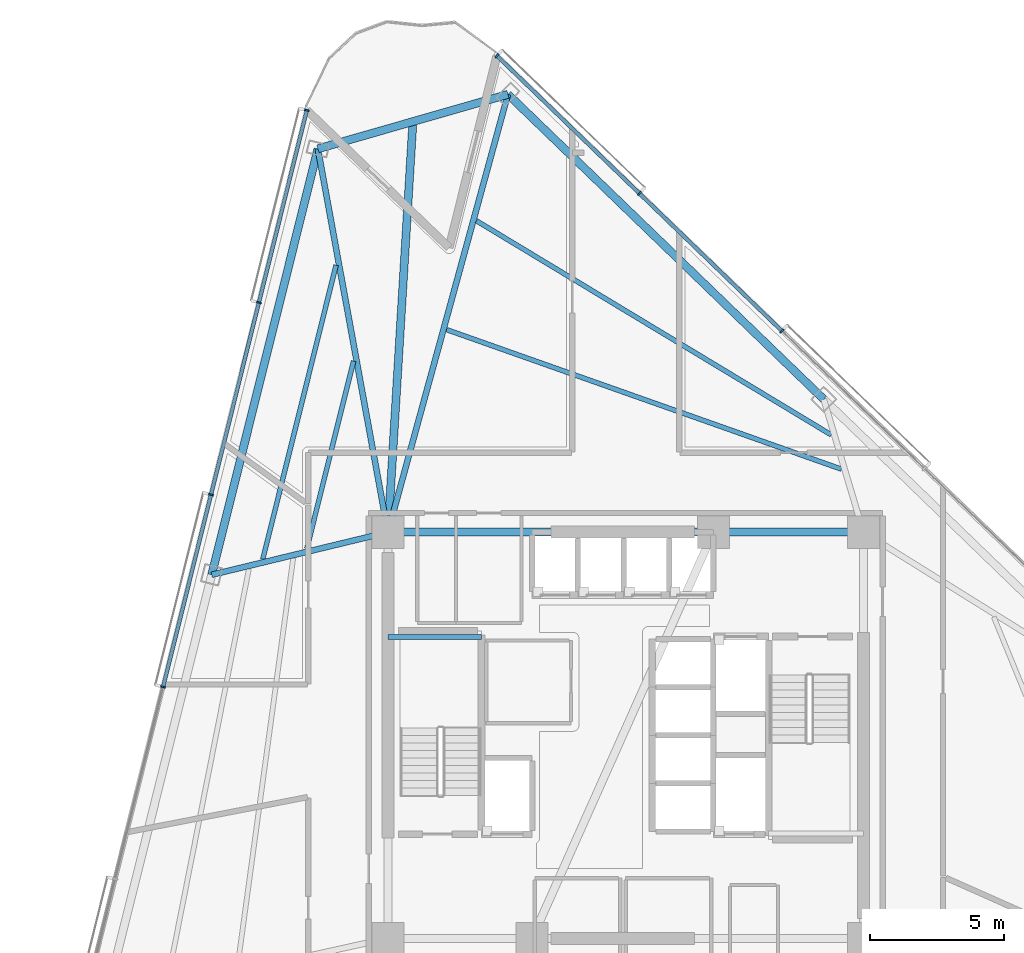
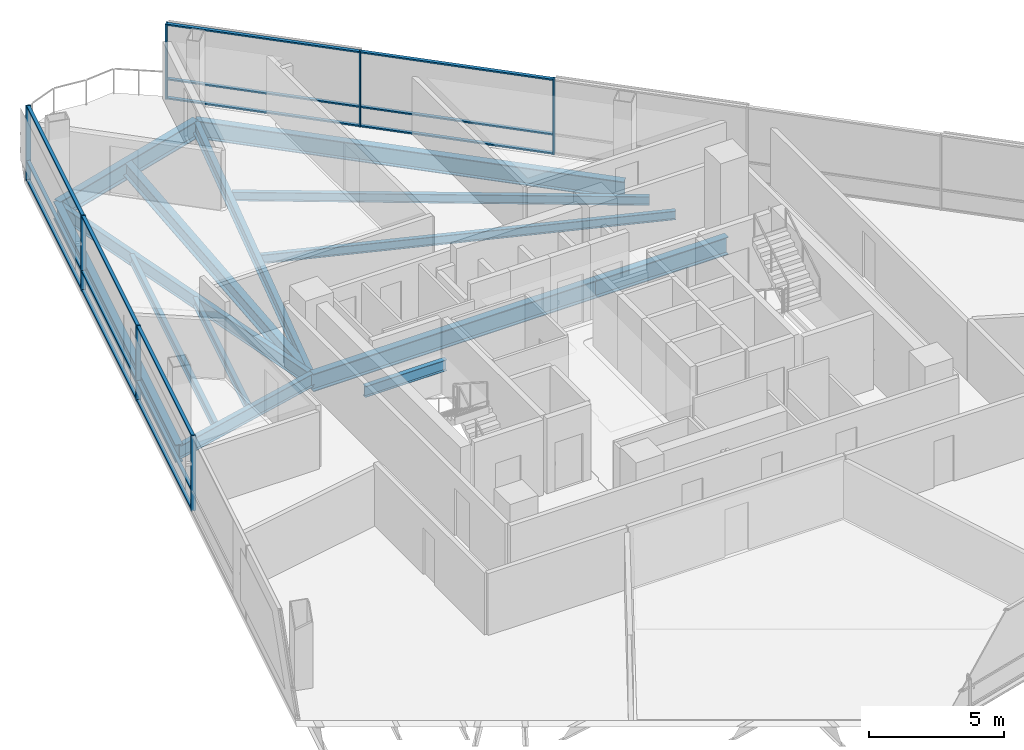
# One storey, part 6 of 17: 22 members, 14 beams, 2 elements without a shape of their own.
"""IFC4 building model written with IfcOpenShell, lengths in metres."""

import ifcopenshell
import ifcopenshell.guid

model = None  # the IFC model being written
_history = None  # IfcOwnerHistory: only IFC2X3 demands one
_inside = {}  # id of a spatial element -> (the spatial element, [elements in it])
_under = {}  # id of a project, library or spatial element -> (it, [spatial elements below it])
_declared = {}  # id of a project -> (the project, [libraries it declares])
_typed = {}  # id of a type object -> (the type object, [elements of that type])
_made_of = {}  # id of a material, layer set ... -> (it, [elements and type objects made of it])


def new_model(schema):
    """Start an empty IFC model of exactly this schema.

    Asked for "IFC4X3", IfcOpenShell would pick the latest addendum, in which some entities
    have other attributes; the version numbers below select the first issue.
    IFC2X3 requires an IfcOwnerHistory on every rooted entity: one is made here for all.
    """
    global model, _history
    if schema == "IFC4X3":
        model = ifcopenshell.file(schema_version=(4, 3, 0, 0))
    else:
        model = ifcopenshell.file(schema=schema)
    _inside.clear()
    _under.clear()
    _declared.clear()
    _typed.clear()
    _made_of.clear()
    _history = None
    if model.schema == "IFC2X3":
        org = make("IfcOrganization", Name="unknown")
        user = make(
            "IfcPersonAndOrganization",
            ThePerson=make("IfcPerson", FamilyName="unknown"),
            TheOrganization=org,
        )
        app = make(
            "IfcApplication",
            ApplicationDeveloper=org,
            Version="unknown",
            ApplicationFullName="unknown",
            ApplicationIdentifier="unknown",
        )
        _history = make(
            "IfcOwnerHistory",
            OwningUser=user,
            OwningApplication=app,
            ChangeAction="ADDED",
            CreationDate=0,
        )
    return model


def make(cls, **values):
    """One entity of the class cls with the attributes given. An attribute that is None is left unset."""
    return model.create_entity(
        cls, **{name: value for name, value in values.items() if value is not None}
    )


def rooted(cls, **values):
    """An entity with a GlobalId (a new one), such as an element, a storey or a relation."""
    return make(cls, GlobalId=ifcopenshell.guid.new(), OwnerHistory=_history, **values)


def si_unit(unit_type, name, prefix=None):
    """IfcSIUnit, for example si_unit("LENGTHUNIT", "METRE", prefix="MILLI")."""
    return make("IfcSIUnit", UnitType=unit_type, Prefix=prefix, Name=name)


def assignment(units):
    """IfcUnitAssignment: the units of a project."""
    return None if units is None else make("IfcUnitAssignment", Units=units)


def point(xyz):
    """IfcCartesianPoint."""
    return None if xyz is None else make("IfcCartesianPoint", Coordinates=xyz)


def direction(xyz):
    """IfcDirection."""
    return None if xyz is None else make("IfcDirection", DirectionRatios=xyz)


def frame(location, z_axis=None, x_axis=None):
    """IfcAxis2Placement3D, a coordinate frame: its origin and axes. An axis left out is left unset."""
    return make(
        "IfcAxis2Placement3D",
        Location=point(location),
        Axis=direction(z_axis),
        RefDirection=direction(x_axis),
    )


def frame_2d(location, x_axis=None):
    """IfcAxis2Placement2D, a coordinate frame in the plane: its origin and x axis."""
    return make(
        "IfcAxis2Placement2D", Location=point(location), RefDirection=direction(x_axis)
    )


def origin():
    """The frame at (0, 0, 0) with its axes left unset."""
    return frame((0.0, 0.0, 0.0))


def origin_2d():
    """The frame at (0, 0) in the plane with its x axis left unset."""
    return frame_2d((0.0, 0.0))


def place(relative_to, where):
    """IfcLocalPlacement: puts the frame where relative to a parent placement (None: the world)."""
    return make(
        "IfcLocalPlacement", PlacementRelTo=relative_to, RelativePlacement=where
    )


def context(
    kind, dimensions, precision=None, world=None, true_north=None, identifier=None
):
    """IfcGeometricRepresentationContext, for example the 3D "Model" context."""
    return make(
        "IfcGeometricRepresentationContext",
        ContextIdentifier=identifier,
        ContextType=kind,
        CoordinateSpaceDimension=dimensions,
        Precision=precision,
        WorldCoordinateSystem=world,
        TrueNorth=true_north,
    )


def subcontext(parent, identifier, kind, view, scale=None):
    """IfcGeometricRepresentationSubContext, for example "Body" below "Model"."""
    return make(
        "IfcGeometricRepresentationSubContext",
        ContextIdentifier=identifier,
        ContextType=kind,
        ParentContext=parent,
        TargetScale=scale,
        TargetView=view,
    )


def project(units=None, contexts=None):
    """IfcProject with its units and contexts."""
    return rooted(
        "IfcProject",
        Name="project",
        RepresentationContexts=contexts,
        UnitsInContext=assignment(units),
    )


def spatial(cls, under=None, at=None, **own):
    """A site, building, storey or space (cls), placed at a placement, below another one or the project."""
    s = rooted(cls, ObjectPlacement=at, **own)
    if under is not None:
        _under.setdefault(under.id(), (under, []))[1].append(s)
    return s


def profile(cls, at=None, kind="AREA", **sizes):
    """A parametric profile (cls). Its sizes go by their IFC names, for example OverallWidth=200.0."""
    return make(cls, ProfileType=kind, Position=at, **sizes)


def rectangle(**sizes):
    """IfcRectangleProfileDef."""
    return profile("IfcRectangleProfileDef", **sizes)


def i_section(**sizes):
    """IfcIShapeProfileDef."""
    return profile("IfcIShapeProfileDef", **sizes)


def extrude(swept, where, along, depth):
    """IfcExtrudedAreaSolid: the profile swept, set in the frame where, extruded along a direction by depth."""
    return make(
        "IfcExtrudedAreaSolid",
        SweptArea=swept,
        Position=where,
        ExtrudedDirection=direction(along),
        Depth=depth,
    )


def shape(context_of_items, identifier, shape_type, items):
    """IfcShapeRepresentation: the items that make up one representation, for example the "Body"."""
    return make(
        "IfcShapeRepresentation",
        ContextOfItems=context_of_items,
        RepresentationIdentifier=identifier,
        RepresentationType=shape_type,
        Items=items,
    )


def material(Name=None, Category=None):
    """IfcMaterial."""
    return make("IfcMaterial", Name=Name, Category=Category)


def layer(
    of_material, thickness, ventilated=None, Name=None, Category=None, Priority=None
):
    """IfcMaterialLayer: one layer of a wall or slab, of a material (None: an air gap)."""
    return make(
        "IfcMaterialLayer",
        Material=of_material,
        LayerThickness=thickness,
        IsVentilated=ventilated,
        Name=Name,
        Category=Category,
        Priority=Priority,
    )


def layer_set(layers, Name=None):
    """IfcMaterialLayerSet."""
    return make("IfcMaterialLayerSet", MaterialLayers=layers, LayerSetName=Name)


def material_profile(
    of_material, cross_section, Name=None, Category=None, Priority=None
):
    """IfcMaterialProfile: a cross section and its material."""
    return make(
        "IfcMaterialProfile",
        Name=Name,
        Material=of_material,
        Profile=cross_section,
        Priority=Priority,
        Category=Category,
    )


def profile_set(profiles, Name=None, composite=None):
    """IfcMaterialProfileSet."""
    return make(
        "IfcMaterialProfileSet",
        Name=Name,
        MaterialProfiles=profiles,
        CompositeProfile=composite,
    )


def made_of(thing, what):
    """Note that an element or type object is made of a material, layer set ...; save() writes the relation."""
    if what is not None:
        _made_of.setdefault(what.id(), (what, []))[1].append(thing)
    return thing


def type_object(cls, material=None, **own):
    """A type object (cls), such as IfcWallType, which elements share."""
    return made_of(rooted(cls, **own), material)


def element(
    cls,
    number,
    at=None,
    inside=None,
    cuts=None,
    type_object=None,
    material=None,
    context=None,
    identifier="Body",
    shape_type=None,
    held_by="IfcProductDefinitionShape",
    body=None,
    shapes=None,
    **own,
):
    """One element of the class cls, such as IfcWall. Its Tag is "e" and its number.

    at: its placement. inside: the storey or other place that contains it. cuts: it is an
    opening in that element (IfcRelVoidsElement). A single representation is given by context,
    identifier, shape_type and body (its items); several are given by shapes. held_by: the class
    of the entity that holds the representations. save() writes the other relations.
    """
    e = rooted(cls, Tag="e%d" % number, ObjectPlacement=at, **own)
    if body is not None:
        shapes = [shape(context, identifier, shape_type, body)]
    if shapes is not None:
        e.Representation = make(held_by, Representations=shapes)
    if inside is not None:
        _inside.setdefault(inside.id(), (inside, []))[1].append(e)
    if cuts is not None:
        rooted(
            "IfcRelVoidsElement", RelatingBuildingElement=cuts, RelatedOpeningElement=e
        )
    if type_object is not None:
        _typed.setdefault(type_object.id(), (type_object, []))[1].append(e)
    return made_of(e, material)


def aggregate(whole, parts):
    """IfcRelAggregates: a whole, such as a stair, and the parts it consists of."""
    return rooted("IfcRelAggregates", RelatingObject=whole, RelatedObjects=parts)


def save(model, path):
    """Write the relations noted so far, then the file.

    IfcRelAggregates (storeys below a building ...), IfcRelContainedInSpatialStructure (elements
    in a storey), IfcRelDefinesByType, IfcRelAssociatesMaterial and IfcRelDeclares: one each for
    every whole, place, type object, material and project.
    """
    for whole, parts in _under.values():
        aggregate(whole, parts)
    for where, things in _inside.values():
        rooted(
            "IfcRelContainedInSpatialStructure",
            RelatedElements=things,
            RelatingStructure=where,
        )
    for kind, things in _typed.values():
        rooted("IfcRelDefinesByType", RelatedObjects=things, RelatingType=kind)
    for what, things in _made_of.values():
        rooted("IfcRelAssociatesMaterial", RelatedObjects=things, RelatingMaterial=what)
    for by, libraries in _declared.values():
        rooted("IfcRelDeclares", RelatingContext=by, RelatedDefinitions=libraries)
    model.write(path)


model = new_model("IFC4")

# Units and contexts
model_context = context("Model", 3, precision=1e-05, world=origin(), true_north=direction((0.0, 1.0)))
body_context = subcontext(model_context, "Body", "Model", "MODEL_VIEW")
ifc_project = project(units=[si_unit("LENGTHUNIT", "METRE"), si_unit("AREAUNIT", "SQUARE_METRE"), si_unit("VOLUMEUNIT", "CUBIC_METRE"), si_unit("PLANEANGLEUNIT", "RADIAN"), si_unit("MASSUNIT", "GRAM", prefix="KILO")], contexts=[model_context])

# Site, building, storey
site_placement = place(None, origin())
site = spatial("IfcSite", under=ifc_project, at=site_placement, CompositionType="ELEMENT")
building_placement = place(site_placement, origin())
building = spatial("IfcBuilding", under=site, at=building_placement, Name="Tharavind Bronze Gate", CompositionType="ELEMENT")
storey_placement = place(building_placement, frame((0.0, 0.0, 96.89990234375)))
storey = spatial("IfcBuildingStorey", under=building, at=storey_placement, Name="L24", CompositionType="ELEMENT", Elevation=96.89990234375)

# Curtain wall, members
ifc_material_1 = material(Name="Anodised Bronze Aluminium", Category="aluminium")
ifc_layer = layer(ifc_material_1, 0.219970703125)
ifc_layer_set = layer_set([ifc_layer], Name="Anodised Bronze Aluminium")
curtain_wall_type = type_object("IfcCurtainWallType", Name="UNITISED CURTAIN WALL LOWER OFFICE", PredefinedType="USERDEFINED", material=ifc_layer_set)
curtain_wall_1_placement = place(storey_placement, origin())
curtain_wall_1 = element("IfcCurtainWall", 1, at=curtain_wall_1_placement, inside=storey, type_object=curtain_wall_type, Name="L24 unitised curtain wall lower office CW-L24-S1", ObjectType="UNITISED CURTAIN WALL", PredefinedType="USERDEFINED")
member_type_1 = type_object("IfcMemberType", Name="CURTAIN WALL BRONZE MULLION 65X180", PredefinedType="MULLION", material=ifc_material_1)
member_1_placement = place(storey_placement, frame((-11.93359375, 23.394287109375, 0.0), z_axis=(0.0, 0.0, 1.0), x_axis=(-0.2419218956, -0.970295726276, 0.0)))
member_1 = element("IfcMember", 2, at=member_1_placement, type_object=member_type_1, Name="CW-L24-S1 mullion 1", PredefinedType="MULLION", context=body_context, shape_type="SweptSolid", body=[
    extrude(rectangle(XDim=0.06494140625, YDim=0.179931640625, at=origin_2d()), origin(), (0.0, 0.0, 1.0), 3.409912109375),
])
member_2_placement = place(storey_placement, frame((-13.727294921875, 16.2001953125, 0.0), z_axis=(0.0, 0.0, 1.0), x_axis=(-0.2419218956, -0.970295726276, 0.0)))
member_2 = element("IfcMember", 3, at=member_2_placement, type_object=member_type_1, Name="CW-L24-S1 mullion 2", PredefinedType="MULLION", context=body_context, shape_type="SweptSolid", body=[
    extrude(rectangle(XDim=0.06494140625, YDim=0.179931640625, at=origin_2d()), origin(), (0.0, 0.0, 1.0), 3.409912109375),
])
member_3_placement = place(storey_placement, frame((-15.52099609375, 9.00634765625, 0.0), z_axis=(0.0, 0.0, 1.0), x_axis=(-0.2419218956, -0.970295726276, 0.0)))
member_3 = element("IfcMember", 4, at=member_3_placement, type_object=member_type_1, Name="CW-L24-S1 mullion 3", PredefinedType="MULLION", context=body_context, shape_type="SweptSolid", body=[
    extrude(rectangle(XDim=0.06494140625, YDim=0.179931640625, at=origin_2d()), origin(), (0.0, 0.0, 1.0), 3.409912109375),
])
member_4_placement = place(storey_placement, frame((-17.314697265625, 1.812255859375, 0.0), z_axis=(0.0, 0.0, 1.0), x_axis=(-0.2419218956, -0.970295726276, 0.0)))
member_4 = element("IfcMember", 5, at=member_4_placement, type_object=member_type_1, Name="CW-L24-S1 mullion 4", PredefinedType="MULLION", context=body_context, shape_type="SweptSolid", body=[
    extrude(rectangle(XDim=0.06494140625, YDim=0.179931640625, at=origin_2d()), origin(), (0.0, 0.0, 1.0), 3.409912109375),
])

curtain_wall_2_placement = place(storey_placement, origin())
curtain_wall_2 = element("IfcCurtainWall", 6, at=curtain_wall_2_placement, inside=storey, type_object=curtain_wall_type, Name="L24 unitised curtain wall lower office CW-L24-S3", ObjectType="UNITISED CURTAIN WALL", PredefinedType="USERDEFINED")
member_5_placement = place(storey_placement, frame((5.84619140625, 15.13330078125, 0.0), z_axis=(0.0, 0.0, 1.0), x_axis=(-0.719341012745, 0.694657114973, 0.0)))
member_5 = element("IfcMember", 7, at=member_5_placement, type_object=member_type_1, Name="CW-L24-S3 mullion 6", PredefinedType="MULLION", context=body_context, shape_type="SweptSolid", body=[
    extrude(rectangle(XDim=0.06494140625, YDim=0.179931640625, at=origin_2d()), origin(), (0.0, 0.0, 1.0), 3.409912109375),
])
member_6_placement = place(storey_placement, frame((0.512939453125, 20.28369140625, 0.0), z_axis=(0.0, 0.0, 1.0), x_axis=(-0.719341012745, 0.694657114973, 0.0)))
member_6 = element("IfcMember", 8, at=member_6_placement, type_object=member_type_1, Name="CW-L24-S3 mullion 7", PredefinedType="MULLION", context=body_context, shape_type="SweptSolid", body=[
    extrude(rectangle(XDim=0.06494140625, YDim=0.179931640625, at=origin_2d()), origin(), (0.0, 0.0, 1.0), 3.409912109375),
])
member_7_placement = place(storey_placement, frame((-4.8203125, 25.433837890625, 0.0), z_axis=(0.0, 0.0, 1.0), x_axis=(-0.719341012745, 0.694657114973, 0.0)))
member_7 = element("IfcMember", 9, at=member_7_placement, type_object=member_type_1, Name="CW-L24-S3 mullion 8", PredefinedType="MULLION", context=body_context, shape_type="SweptSolid", body=[
    extrude(rectangle(XDim=0.06494140625, YDim=0.179931640625, at=origin_2d()), origin(), (0.0, 0.0, 1.0), 3.409912109375),
])

# Member
member_type_2 = type_object("IfcMemberType", Name="CURTAIN WALL BRONZE TRANSOM 65X140", PredefinedType="USERDEFINED", material=ifc_material_1)
member_8_placement = place(storey_placement, frame((-12.83056640625, 19.797119140625, 0.000244140625), z_axis=(0.0, 0.0, 1.0), x_axis=(-0.2419218956, -0.970295726276, 0.0)))
member_8 = element("IfcMember", 10, at=member_8_placement, type_object=member_type_2, Name="CW-L24-S1 transom TB1", ObjectType="TRANSOM", PredefinedType="USERDEFINED", context=body_context, shape_type="SweptSolid", body=[
    extrude(rectangle(XDim=7.361083984375, YDim=0.139892578125, at=origin_2d()), origin(), (0.0, 0.0, 1.0), 0.06494140625),
])

member_9_placement = place(storey_placement, frame((-12.83056640625, 19.797119140625, 0.86767578125), z_axis=(0.0, 0.0, 1.0), x_axis=(-0.2419218956, -0.970295726276, 0.0)))
member_9 = element("IfcMember", 11, at=member_9_placement, type_object=member_type_2, Name="CW-L24-S1 transom TS1", ObjectType="TRANSOM", PredefinedType="USERDEFINED", context=body_context, shape_type="SweptSolid", body=[
    extrude(rectangle(XDim=7.361083984375, YDim=0.139892578125, at=origin_2d()), origin(), (0.0, 0.0, 1.0), 0.06494140625),
])

member_10_placement = place(storey_placement, frame((-12.83056640625, 19.797119140625, 3.34521484375), z_axis=(0.0, 0.0, 1.0), x_axis=(-0.2419218956, -0.970295726276, 0.0)))
member_10 = element("IfcMember", 12, at=member_10_placement, type_object=member_type_2, Name="CW-L24-S1 transom TT1", ObjectType="TRANSOM", PredefinedType="USERDEFINED", context=body_context, shape_type="SweptSolid", body=[
    extrude(rectangle(XDim=7.361083984375, YDim=0.139892578125, at=origin_2d()), origin(), (0.0, 0.0, 1.0), 0.06494140625),
])

member_11_placement = place(storey_placement, frame((-14.624267578125, 12.603271484375, 0.000244140625), z_axis=(0.0, 0.0, 1.0), x_axis=(-0.2419218956, -0.970295726276, 0.0)))
member_11 = element("IfcMember", 13, at=member_11_placement, type_object=member_type_2, Name="CW-L24-S1 transom TB2", ObjectType="TRANSOM", PredefinedType="USERDEFINED", context=body_context, shape_type="SweptSolid", body=[
    extrude(rectangle(XDim=7.361083984375, YDim=0.139892578125, at=origin_2d()), origin(), (0.0, 0.0, 1.0), 0.06494140625),
])

member_12_placement = place(storey_placement, frame((-14.624267578125, 12.603271484375, 0.86767578125), z_axis=(0.0, 0.0, 1.0), x_axis=(-0.2419218956, -0.970295726276, 0.0)))
member_12 = element("IfcMember", 14, at=member_12_placement, type_object=member_type_2, Name="CW-L24-S1 transom TS2", ObjectType="TRANSOM", PredefinedType="USERDEFINED", context=body_context, shape_type="SweptSolid", body=[
    extrude(rectangle(XDim=7.361083984375, YDim=0.139892578125, at=origin_2d()), origin(), (0.0, 0.0, 1.0), 0.06494140625),
])

member_13_placement = place(storey_placement, frame((-14.624267578125, 12.603271484375, 3.34521484375), z_axis=(0.0, 0.0, 1.0), x_axis=(-0.2419218956, -0.970295726276, 0.0)))
member_13 = element("IfcMember", 15, at=member_13_placement, type_object=member_type_2, Name="CW-L24-S1 transom TT2", ObjectType="TRANSOM", PredefinedType="USERDEFINED", context=body_context, shape_type="SweptSolid", body=[
    extrude(rectangle(XDim=7.361083984375, YDim=0.139892578125, at=origin_2d()), origin(), (0.0, 0.0, 1.0), 0.06494140625),
])

member_14_placement = place(storey_placement, frame((-16.417724609375, 5.4091796875, 0.000244140625), z_axis=(0.0, 0.0, 1.0), x_axis=(-0.2419218956, -0.970295726276, 0.0)))
member_14 = element("IfcMember", 16, at=member_14_placement, type_object=member_type_2, Name="CW-L24-S1 transom TB3", ObjectType="TRANSOM", PredefinedType="USERDEFINED", context=body_context, shape_type="SweptSolid", body=[
    extrude(rectangle(XDim=7.361083984375, YDim=0.139892578125, at=origin_2d()), origin(), (0.0, 0.0, 1.0), 0.06494140625),
])

member_15_placement = place(storey_placement, frame((-16.417724609375, 5.4091796875, 0.86767578125), z_axis=(0.0, 0.0, 1.0), x_axis=(-0.2419218956, -0.970295726276, 0.0)))
member_15 = element("IfcMember", 17, at=member_15_placement, type_object=member_type_2, Name="CW-L24-S1 transom TS3", ObjectType="TRANSOM", PredefinedType="USERDEFINED", context=body_context, shape_type="SweptSolid", body=[
    extrude(rectangle(XDim=7.361083984375, YDim=0.139892578125, at=origin_2d()), origin(), (0.0, 0.0, 1.0), 0.06494140625),
])

member_16_placement = place(storey_placement, frame((-16.417724609375, 5.4091796875, 3.34521484375), z_axis=(0.0, 0.0, 1.0), x_axis=(-0.2419218956, -0.970295726276, 0.0)))
member_16 = element("IfcMember", 18, at=member_16_placement, type_object=member_type_2, Name="CW-L24-S1 transom TT3", ObjectType="TRANSOM", PredefinedType="USERDEFINED", context=body_context, shape_type="SweptSolid", body=[
    extrude(rectangle(XDim=7.361083984375, YDim=0.139892578125, at=origin_2d()), origin(), (0.0, 0.0, 1.0), 0.06494140625),
])

aggregate(curtain_wall_1, [member_1, member_2, member_3, member_4, member_8, member_9, member_10, member_11, member_12, member_13, member_14, member_15, member_16])

member_17_placement = place(storey_placement, frame((3.1796875, 17.70849609375, 0.000244140625), z_axis=(0.0, 0.0, 1.0), x_axis=(-0.719341012745, 0.694657114973, 0.0)))
member_17 = element("IfcMember", 19, at=member_17_placement, type_object=member_type_2, Name="CW-L24-S3 transom TB6", ObjectType="TRANSOM", PredefinedType="USERDEFINED", context=body_context, shape_type="SweptSolid", body=[
    extrude(rectangle(XDim=7.361083984375, YDim=0.139892578125, at=origin_2d()), origin(), (0.0, 0.0, 1.0), 0.06494140625),
])

member_18_placement = place(storey_placement, frame((3.1796875, 17.70849609375, 0.86767578125), z_axis=(0.0, 0.0, 1.0), x_axis=(-0.719341012745, 0.694657114973, 0.0)))
member_18 = element("IfcMember", 20, at=member_18_placement, type_object=member_type_2, Name="CW-L24-S3 transom TS6", ObjectType="TRANSOM", PredefinedType="USERDEFINED", context=body_context, shape_type="SweptSolid", body=[
    extrude(rectangle(XDim=7.361083984375, YDim=0.139892578125, at=origin_2d()), origin(), (0.0, 0.0, 1.0), 0.06494140625),
])

member_19_placement = place(storey_placement, frame((3.1796875, 17.70849609375, 3.34521484375), z_axis=(0.0, 0.0, 1.0), x_axis=(-0.719341012745, 0.694657114973, 0.0)))
member_19 = element("IfcMember", 21, at=member_19_placement, type_object=member_type_2, Name="CW-L24-S3 transom TT6", ObjectType="TRANSOM", PredefinedType="USERDEFINED", context=body_context, shape_type="SweptSolid", body=[
    extrude(rectangle(XDim=7.361083984375, YDim=0.139892578125, at=origin_2d()), origin(), (0.0, 0.0, 1.0), 0.06494140625),
])

member_20_placement = place(storey_placement, frame((-2.15380859375, 22.858642578125, 0.000244140625), z_axis=(0.0, 0.0, 1.0), x_axis=(-0.719341012745, 0.694657114973, 0.0)))
member_20 = element("IfcMember", 22, at=member_20_placement, type_object=member_type_2, Name="CW-L24-S3 transom TB7", ObjectType="TRANSOM", PredefinedType="USERDEFINED", context=body_context, shape_type="SweptSolid", body=[
    extrude(rectangle(XDim=7.361083984375, YDim=0.139892578125, at=origin_2d()), origin(), (0.0, 0.0, 1.0), 0.06494140625),
])

member_21_placement = place(storey_placement, frame((-2.15380859375, 22.858642578125, 0.86767578125), z_axis=(0.0, 0.0, 1.0), x_axis=(-0.719341012745, 0.694657114973, 0.0)))
member_21 = element("IfcMember", 23, at=member_21_placement, type_object=member_type_2, Name="CW-L24-S3 transom TS7", ObjectType="TRANSOM", PredefinedType="USERDEFINED", context=body_context, shape_type="SweptSolid", body=[
    extrude(rectangle(XDim=7.361083984375, YDim=0.139892578125, at=origin_2d()), origin(), (0.0, 0.0, 1.0), 0.06494140625),
])

member_22_placement = place(storey_placement, frame((-2.15380859375, 22.858642578125, 3.34521484375), z_axis=(0.0, 0.0, 1.0), x_axis=(-0.719341012745, 0.694657114973, 0.0)))
member_22 = element("IfcMember", 24, at=member_22_placement, type_object=member_type_2, Name="CW-L24-S3 transom TT7", ObjectType="TRANSOM", PredefinedType="USERDEFINED", context=body_context, shape_type="SweptSolid", body=[
    extrude(rectangle(XDim=7.361083984375, YDim=0.139892578125, at=origin_2d()), origin(), (0.0, 0.0, 1.0), 0.06494140625),
])

aggregate(curtain_wall_2, [member_5, member_6, member_7, member_17, member_18, member_19, member_20, member_21, member_22])

# Beams
ifc_material_2 = material(Name="Steel S355", Category="steel")
ifc_material_profile_1 = material_profile(ifc_material_2, i_section(OverallWidth=0.300048828125, OverallDepth=0.64990234375, WebThickness=0.01611328125, FlangeThickness=0.031005859375, at=origin_2d()), Name="HE650B")
ifc_profile_set_1 = profile_set([ifc_material_profile_1], Name="Steel S355")
beam_type_1 = type_object("IfcBeamType", Name="PRIMARY GIRDER HE650B", PredefinedType="USERDEFINED", material=ifc_profile_set_1)
beam_1_placement = place(storey_placement, frame((-8.89990234375, 7.60009765625, -0.514892578125), z_axis=(0.060795156935, 0.998150263684, 0.0), x_axis=(-0.998150263684, 0.060795156935, 0.0)))
element("IfcBeam", 25, at=beam_1_placement, inside=storey, type_object=beam_type_1, Name="L24 primary girder he650b BM-L24-BLCSB", ObjectType="GIRDER", PredefinedType="USERDEFINED", context=body_context, shape_type="SweptSolid", body=[
    extrude(i_section(OverallWidth=0.300048828125, OverallDepth=0.64990234375, WebThickness=0.01611328125, FlangeThickness=0.031005859375, at=origin_2d()), origin(), (0.0, 0.0, 1.0), 15.400634765625),
])
ifc_material_profile_2 = material_profile(ifc_material_2, i_section(OverallWidth=0.199951171875, OverallDepth=0.5, WebThickness=0.01025390625, FlangeThickness=0.01611328125, at=origin_2d()), Name="IPE500")
ifc_profile_set_2 = profile_set([ifc_material_profile_2], Name="Steel S355")
beam_type_2 = type_object("IfcBeamType", Name="PRIMARY GIRDER IPE500", PredefinedType="USERDEFINED", material=ifc_profile_set_2)
beam_2_placement = place(storey_placement, frame((-8.89990234375, 3.679931640625, 1.35009765625), z_axis=(1.0, 0.0, 0.0), x_axis=(0.0, 1.0, 0.0)))
element("IfcBeam", 26, at=beam_2_placement, inside=storey, type_object=beam_type_2, Name="L24 primary girder ipe500 BM-LD-ST1-L24-1", ObjectType="GIRDER", PredefinedType="USERDEFINED", context=body_context, shape_type="SweptSolid", body=[
    extrude(i_section(OverallWidth=0.199951171875, OverallDepth=0.5, WebThickness=0.01025390625, FlangeThickness=0.01611328125, at=origin_2d()), origin(), (0.0, 0.0, 1.0), 3.5),
])
ifc_material_profile_3 = material_profile(ifc_material_2, i_section(OverallWidth=0.219970703125, OverallDepth=0.60009765625, WebThickness=0.011962890625, FlangeThickness=0.01904296875, at=origin_2d()), Name="IPE600")
ifc_profile_set_3 = profile_set([ifc_material_profile_3], Name="Steel S355")
beam_type_3 = type_object("IfcBeamType", Name="PRIMARY GIRDER IPE600", PredefinedType="USERDEFINED", material=ifc_profile_set_3)
beam_3_placement = place(storey_placement, frame((-11.520263671875, 21.952392578125, -0.489990234375), z_axis=(0.179605485625, -0.983738720156, 0.0), x_axis=(0.983738720156, 0.179605485625, 0.0)))
element("IfcBeam", 27, at=beam_3_placement, inside=storey, type_object=beam_type_3, Name="L24 primary girder ipe600 BM-L24-RAD01", ObjectType="GIRDER", PredefinedType="USERDEFINED", context=body_context, shape_type="SweptSolid", body=[
    extrude(i_section(OverallWidth=0.219970703125, OverallDepth=0.60009765625, WebThickness=0.011962890625, FlangeThickness=0.01904296875, at=origin_2d()), origin(), (0.0, 0.0, 1.0), 14.589599609375),
])
beam_4_placement = place(storey_placement, frame((-15.495849609375, 6.006591796875, -0.489990234375), z_axis=(0.972035781116, 0.234832792069, 0.0), x_axis=(-0.234832792069, 0.972035781116, 0.0)))
element("IfcBeam", 28, at=beam_4_placement, inside=storey, type_object=beam_type_3, Name="L24 primary girder ipe600 BM-L24-RAD02", ObjectType="GIRDER", PredefinedType="USERDEFINED", context=body_context, shape_type="SweptSolid", body=[
    extrude(i_section(OverallWidth=0.219970703125, OverallDepth=0.60009765625, WebThickness=0.011962890625, FlangeThickness=0.01904296875, at=origin_2d()), origin(), (0.0, 0.0, 1.0), 6.78564453125),
])
beam_5_placement = place(storey_placement, frame((-4.406982421875, 23.9921875, -0.489990234375), z_axis=(-0.26434111933, -0.964429247084, 0.0), x_axis=(0.964429247084, -0.26434111933, 0.0)))
element("IfcBeam", 29, at=beam_5_placement, inside=storey, type_object=beam_type_3, Name="L24 primary girder ipe600 BM-L24-RAD12", ObjectType="GIRDER", PredefinedType="USERDEFINED", context=body_context, shape_type="SweptSolid", body=[
    extrude(i_section(OverallWidth=0.219970703125, OverallDepth=0.60009765625, WebThickness=0.011962890625, FlangeThickness=0.01904296875, at=origin_2d()), origin(), (0.0, 0.0, 1.0), 16.99658203125),
])
ifc_material_profile_4 = material_profile(ifc_material_2, i_section(OverallWidth=0.300048828125, OverallDepth=0.800048828125, WebThickness=0.017578125, FlangeThickness=0.032958984375, at=origin_2d()), Name="HE800B")
ifc_profile_set_4 = profile_set([ifc_material_profile_4], Name="Steel S355")
beam_type_4 = type_object("IfcBeamType", Name="RING GIRDER HE800B", PredefinedType="USERDEFINED", material=ifc_profile_set_4)
beam_6_placement = place(storey_placement, frame((8.89990234375, 7.60009765625, -0.58984375), z_axis=(-1.0, 0.0, 0.0), x_axis=(0.0, -1.0, 0.0)))
element("IfcBeam", 30, at=beam_6_placement, inside=storey, type_object=beam_type_4, Name="L24 ring girder he800b BM-L24-CR4", ObjectType="GIRDER", PredefinedType="USERDEFINED", context=body_context, shape_type="SweptSolid", body=[
    extrude(i_section(OverallWidth=0.300048828125, OverallDepth=0.800048828125, WebThickness=0.017578125, FlangeThickness=0.032958984375, at=origin_2d()), origin(), (0.0, 0.0, 1.0), 5.619873046875),
])
beam_7_placement = place(storey_placement, frame((3.280029296875, 7.60009765625, -0.58984375), z_axis=(-1.0, 0.0, 0.0), x_axis=(0.0, -1.0, 0.0)))
element("IfcBeam", 31, at=beam_7_placement, inside=storey, type_object=beam_type_4, Name="L24 ring girder he800b BM-L24-CR5", ObjectType="GIRDER", PredefinedType="USERDEFINED", context=body_context, shape_type="SweptSolid", body=[
    extrude(i_section(OverallWidth=0.300048828125, OverallDepth=0.800048828125, WebThickness=0.017578125, FlangeThickness=0.032958984375, at=origin_2d()), origin(), (0.0, 0.0, 1.0), 12.179931640625),
])
for number, where, z_axis, x_axis, name in (
    (32, (-11.520263671875, 21.952392578125, -0.58984375), (-0.241913375366, -0.970297850569, 0.0), (0.970297850569, -0.241913375366, 0.0), "L24 ring girder he800b BM-L24-PRG01"),
    (33, (7.41455078125, 12.576171875, -0.58984375), (-0.719336950964, 0.694661321061, 0.0), (-0.694661321061, -0.719336950964, 0.0), "L24 ring girder he800b BM-L24-PRG11"),
):
    element("IfcBeam", number, at=place(storey_placement, frame(where, z_axis=z_axis, x_axis=x_axis)), inside=storey, type_object=beam_type_4, Name=name, ObjectType="GIRDER", PredefinedType="USERDEFINED", context=body_context, shape_type="SweptSolid", body=[
        extrude(i_section(OverallWidth=0.300048828125, OverallDepth=0.800048828125, WebThickness=0.017578125, FlangeThickness=0.032958984375, at=origin_2d()), origin(), (0.0, 0.0, 1.0), 16.433837890625),
    ])
beam_8_placement = place(storey_placement, frame((-4.406982421875, 23.9921875, -0.58984375), z_axis=(-0.961258317766, -0.275649136633, 0.0), x_axis=(0.275649136633, -0.961258317766, 0.0)))
element("IfcBeam", 34, at=beam_8_placement, inside=storey, type_object=beam_type_4, Name="L24 ring girder he800b BM-L24-PRG12", ObjectType="GIRDER", PredefinedType="USERDEFINED", context=body_context, shape_type="SweptSolid", body=[
    extrude(i_section(OverallWidth=0.300048828125, OverallDepth=0.800048828125, WebThickness=0.017578125, FlangeThickness=0.032958984375, at=origin_2d()), origin(), (0.0, 0.0, 1.0), 7.39990234375),
])
ifc_material_profile_5 = material_profile(ifc_material_2, i_section(OverallWidth=0.179931640625, OverallDepth=0.39990234375, WebThickness=0.008544921875, FlangeThickness=0.013427734375, at=origin_2d()), Name="IPE400")
ifc_profile_set_5 = profile_set([ifc_material_profile_5], Name="Steel S355")
beam_type_5 = type_object("IfcBeamType", Name="SECONDARY FLOOR JOIST IPE400", PredefinedType="JOIST", material=ifc_profile_set_5)
beam_9_placement = place(storey_placement, frame((-10.183837890625, 14.010986328125, -0.389892578125), z_axis=(-0.241924860908, -0.970294986937, 0.0), x_axis=(0.970294986937, -0.241924860908, 0.0)))
element("IfcBeam", 35, at=beam_9_placement, inside=storey, type_object=beam_type_5, Name="L24 secondary floor joist ipe400 BM-L24-JSTA01", PredefinedType="JOIST", context=body_context, shape_type="SweptSolid", body=[
    extrude(i_section(OverallWidth=0.179931640625, OverallDepth=0.39990234375, WebThickness=0.008544921875, FlangeThickness=0.013427734375, at=origin_2d()), origin(), (0.0, 0.0, 1.0), 7.24267578125),
])
beam_10_placement = place(storey_placement, frame((-10.839111328125, 17.59912109375, -0.389892578125), z_axis=(-0.241923228162, -0.97029539403, 0.0), x_axis=(0.97029539403, -0.241923228162, 0.0)))
element("IfcBeam", 36, at=beam_10_placement, inside=storey, type_object=beam_type_5, Name="L24 secondary floor joist ipe400 BM-L24-JSTB01", PredefinedType="JOIST", context=body_context, shape_type="SweptSolid", body=[
    extrude(i_section(OverallWidth=0.179931640625, OverallDepth=0.39990234375, WebThickness=0.008544921875, FlangeThickness=0.013427734375, at=origin_2d()), origin(), (0.0, 0.0, 1.0), 11.35107421875),
])
beam_11_placement = place(storey_placement, frame((8.0771484375, 9.960693359375, -0.389892578125), z_axis=(-0.942851952472, 0.333211938141, 0.0), x_axis=(-0.333211938141, -0.942851952472, 0.0)))
element("IfcBeam", 37, at=beam_11_placement, inside=storey, type_object=beam_type_5, Name="L24 secondary floor joist ipe400 BM-L24-JSTA11", PredefinedType="JOIST", context=body_context, shape_type="SweptSolid", body=[
    extrude(i_section(OverallWidth=0.179931640625, OverallDepth=0.39990234375, WebThickness=0.008544921875, FlangeThickness=0.013427734375, at=origin_2d()), origin(), (0.0, 0.0, 1.0), 15.67578125),
])
beam_12_placement = place(storey_placement, frame((7.694580078125, 11.244384765625, -0.389892578125), z_axis=(-0.856169414419, 0.516695203977, 0.0), x_axis=(-0.516695203977, -0.856169414419, 0.0)))
element("IfcBeam", 38, at=beam_12_placement, inside=storey, type_object=beam_type_5, Name="L24 secondary floor joist ipe400 BM-L24-JSTB11", PredefinedType="JOIST", context=body_context, shape_type="SweptSolid", body=[
    extrude(i_section(OverallWidth=0.179931640625, OverallDepth=0.39990234375, WebThickness=0.008544921875, FlangeThickness=0.013427734375, at=origin_2d()), origin(), (0.0, 0.0, 1.0), 15.51171875),
])

save(model, "model.ifc")
